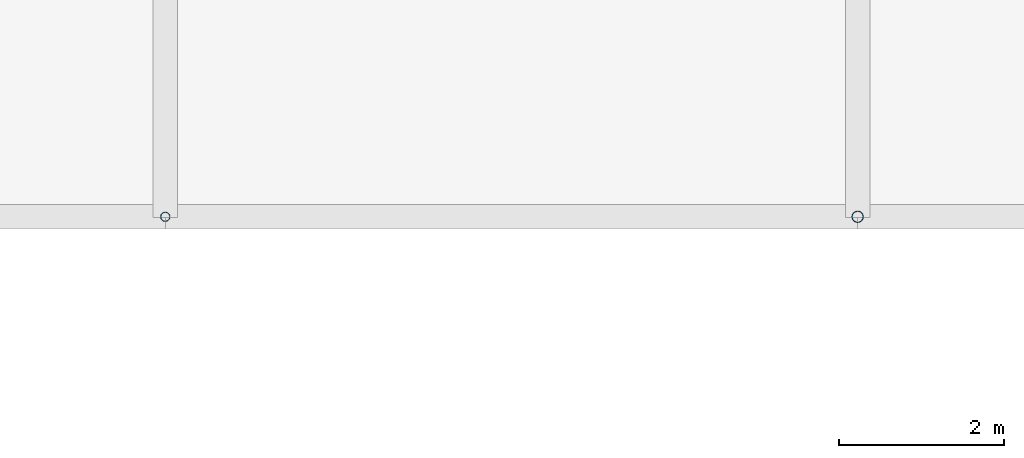
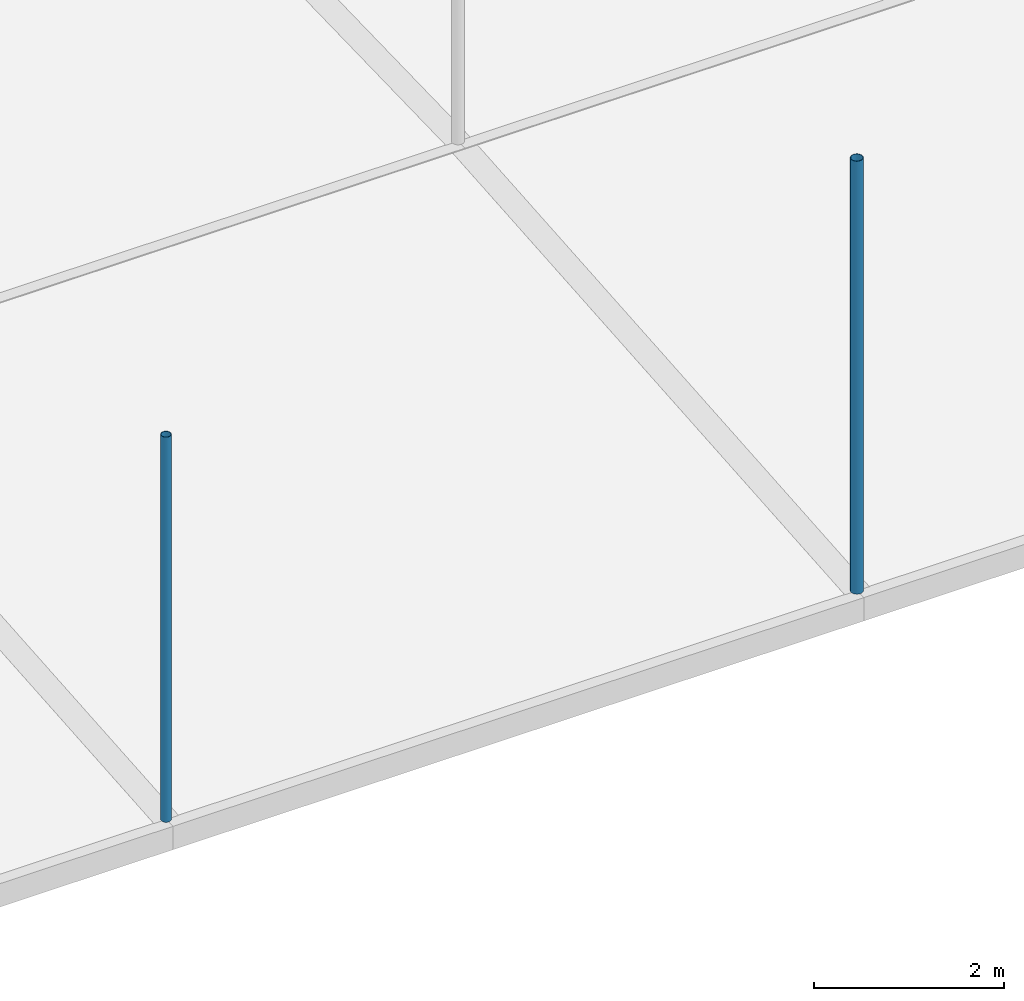
# One storey, part 6 of 37: 2 discrete accessories.
"""IFC4 building model written with IfcOpenShell, lengths in metres."""

from ifc_helpers import new_model, si_unit, direction, frame, origin, origin_2d, place, context, subcontext, project, spatial, hollow_circle, extrude, material, material_profile, profile_set, type_object, element, save


model = new_model("IFC4")

# Units and contexts
model_context = context("Model", 3, precision=1e-05, world=origin(), true_north=direction((0.0, 1.0)))
body_context = subcontext(model_context, "Body", "Model", "MODEL_VIEW")
ifc_project = project(units=[si_unit("LENGTHUNIT", "METRE"), si_unit("AREAUNIT", "SQUARE_METRE"), si_unit("VOLUMEUNIT", "CUBIC_METRE"), si_unit("PLANEANGLEUNIT", "RADIAN"), si_unit("MASSUNIT", "GRAM", prefix="KILO")], contexts=[model_context])

# Site, building, storey
site_placement = place(None, origin())
site = spatial("IfcSite", under=ifc_project, at=site_placement, CompositionType="ELEMENT")
building_placement = place(site_placement, origin())
building = spatial("IfcBuilding", under=site, at=building_placement, Name="Rain Tree Exposition and Congress Centre", CompositionType="ELEMENT")
storey_placement = place(building_placement, frame((0.0, 0.0, 25.0)))
storey = spatial("IfcBuildingStorey", under=building, at=storey_placement, Name="ROOF VAULT LOW", CompositionType="ELEMENT", Elevation=25.0)

# Discrete accessories
ifc_material_1 = material(Name="Steel S355J2H", Category="steel")
ifc_material_profile_1 = material_profile(ifc_material_1, hollow_circle(Radius=0.05712890625, WallThickness=0.00439453125, at=origin_2d()), Name="CHS 114x4.5")
ifc_profile_set_1 = profile_set([ifc_material_profile_1], Name="Steel S355J2H")
discrete_accessory_type_1 = type_object("IfcDiscreteAccessoryType", Name="Roof skin post CHS 114x4.5", PredefinedType="BRACKET", material=ifc_profile_set_1)
discrete_accessory_1_placement = place(storey_placement, frame((25.199951171875, 134.39990234375, 0.4892578125), z_axis=(0.0, 0.0, 1.0), x_axis=(1.0, 0.0, 0.0)))
element("IfcDiscreteAccessory", 1, at=discrete_accessory_1_placement, inside=storey, type_object=discrete_accessory_type_1, Name="Roof skin post A63", PredefinedType="BRACKET", context=body_context, shape_type="SweptSolid", body=[
    extrude(hollow_circle(Radius=0.05712890625, WallThickness=0.00439453125, at=origin_2d()), origin(), (0.0, 0.0, 1.0), 4.95068359375),
])
ifc_material_2 = material(Name="Steel S355J2H", Category="steel")
ifc_material_profile_2 = material_profile(ifc_material_2, hollow_circle(Radius=0.06982421875, WallThickness=0.0048828125, at=origin_2d()), Name="CHS 140x5")
ifc_profile_set_2 = profile_set([ifc_material_profile_2], Name="Steel S355J2H")
discrete_accessory_type_2 = type_object("IfcDiscreteAccessoryType", Name="Roof skin post CHS 140x5", PredefinedType="BRACKET", material=ifc_profile_set_2)
discrete_accessory_2_placement = place(storey_placement, frame((33.60009765625, 134.39990234375, 0.4892578125), z_axis=(0.0, 0.0, 1.0), x_axis=(1.0, 0.0, 0.0)))
element("IfcDiscreteAccessory", 2, at=discrete_accessory_2_placement, inside=storey, type_object=discrete_accessory_type_2, Name="Roof skin post A64", PredefinedType="BRACKET", context=body_context, shape_type="SweptSolid", body=[
    extrude(hollow_circle(Radius=0.06982421875, WallThickness=0.0048828125, at=origin_2d()), origin(), (0.0, 0.0, 1.0), 5.566162109375),
])

save(model, "model.ifc")
